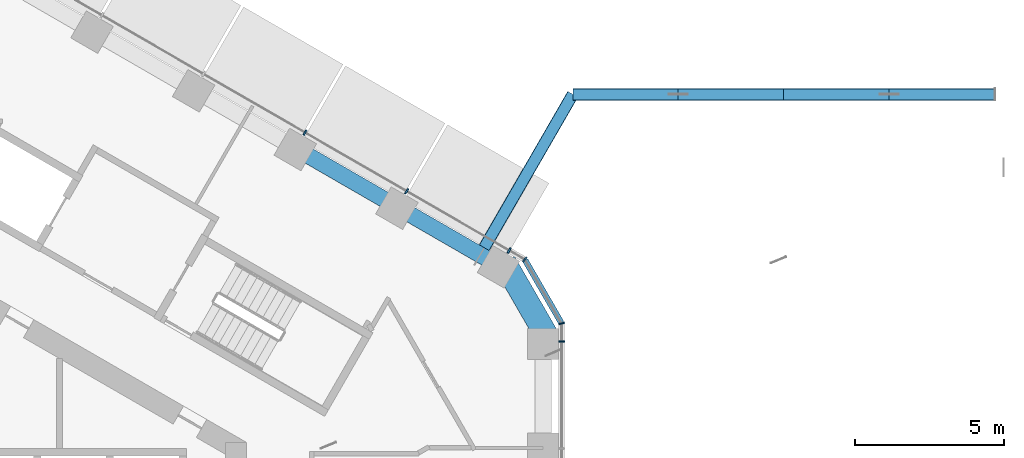
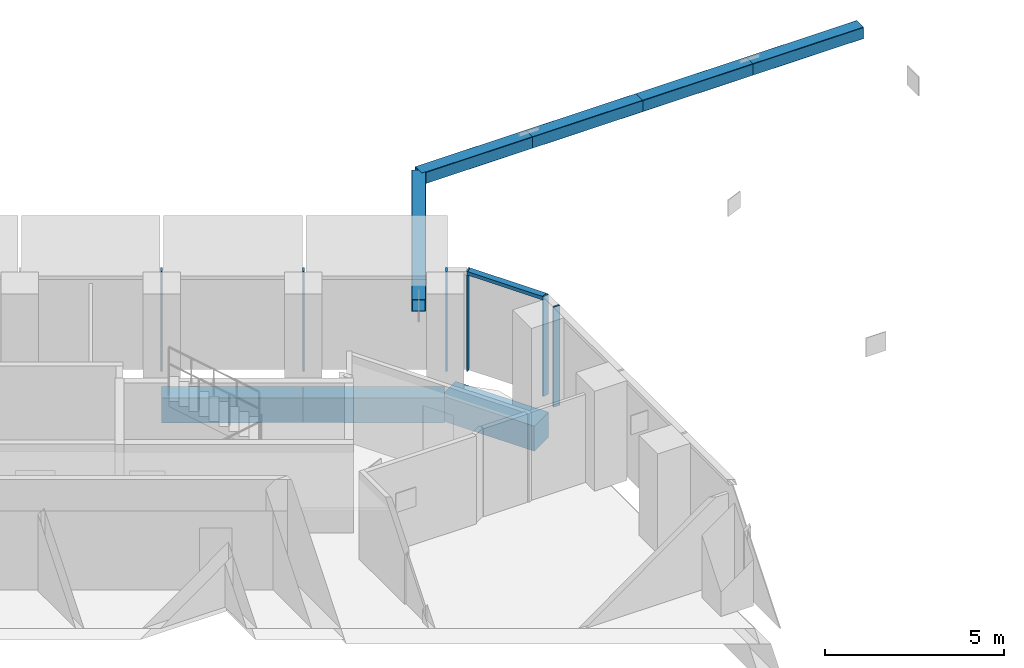
# One storey, part 7 of 21: 12 members, 3 beams, 3 elements without a shape of their own.
"""IFC4 building model written with IfcOpenShell, lengths in metres."""

from ifc_helpers import new_model, si_unit, direction, frame, origin, origin_2d, place, context, subcontext, project, spatial, rectangle, hollow_rectangle, extrude, material, layer, layer_set, material_profile, profile_set, type_object, element, aggregate, save


model = new_model("IFC4")

# Units and contexts
model_context = context("Model", 3, precision=1e-05, world=origin(), true_north=direction((0.0, 1.0)))
body_context = subcontext(model_context, "Body", "Model", "MODEL_VIEW")
ifc_project = project(units=[si_unit("LENGTHUNIT", "METRE"), si_unit("AREAUNIT", "SQUARE_METRE"), si_unit("VOLUMEUNIT", "CUBIC_METRE"), si_unit("PLANEANGLEUNIT", "RADIAN"), si_unit("MASSUNIT", "GRAM", prefix="KILO")], contexts=[model_context])

# Site, building, storey
site_placement = place(None, origin())
site = spatial("IfcSite", under=ifc_project, at=site_placement, CompositionType="ELEMENT")
building_placement = place(site_placement, origin())
building = spatial("IfcBuilding", under=site, at=building_placement, Name="Ayvan Gate Tower", CompositionType="ELEMENT")
storey_placement = place(building_placement, frame((0.0, 0.0, 117.10009765625)))
storey = spatial("IfcBuildingStorey", under=building, at=storey_placement, Name="L31", CompositionType="ELEMENT", Elevation=117.10009765625)

# Beam
ifc_material_1 = material(Name="Concrete C40/50", Category="concrete")
ifc_material_profile_1 = material_profile(ifc_material_1, rectangle(XDim=0.800048828125, YDim=0.85009765625, at=origin_2d()), Name="RC 800x850")
ifc_profile_set_1 = profile_set([ifc_material_profile_1], Name="Concrete C40/50")
beam_type_1 = type_object("IfcBeamType", Name="Corner spandrel beam RC 800x850 C40/50", PredefinedType="BEAM", material=ifc_profile_set_1)
beam_placement = place(storey_placement, frame((19.676025390625, 8.958251953125, -0.775146484375), z_axis=(-0.499990139034, 0.866031096941, 0.0), x_axis=(-0.866031096941, -0.499990139034, 0.0)))
element("IfcBeam", 1, at=beam_placement, inside=storey, type_object=beam_type_1, Name="SB-L31-6", PredefinedType="BEAM", context=body_context, shape_type="SweptSolid", body=[
    extrude(rectangle(XDim=0.800048828125, YDim=0.85009765625, at=origin_2d()), origin(), (0.0, 0.0, 1.0), 3.0),
])

# Members
ifc_material_2 = material(Name="Steel S460NH", Category="steel")
ifc_material_profile_2 = material_profile(ifc_material_2, hollow_rectangle(XDim=0.39990234375, YDim=0.39990234375, WallThickness=0.01611328125, InnerFilletRadius=0.01611328125, OuterFilletRadius=0.02392578125, at=origin_2d()), Name="RHS 400x400x16")
ifc_profile_set_2 = profile_set([ifc_material_profile_2], Name="Steel S460NH")
member_type_1 = type_object("IfcMemberType", Name="Sky bar truss brace B2 RHS 400x400x16", PredefinedType="BRACE", material=ifc_profile_set_2)
member_1_placement = place(storey_placement, frame((17.33056640625, 11.740478515625, 2.64990234375), z_axis=(0.500004901903, 0.866022573651, 0.0), x_axis=(-0.866022573651, 0.500004901903, 0.0)))
element("IfcMember", 2, at=member_1_placement, inside=storey, type_object=member_type_1, Name="SBX2-A-BC-1", PredefinedType="CHORD", context=body_context, shape_type="SweptSolid", body=[
    extrude(hollow_rectangle(XDim=0.39990234375, YDim=0.39990234375, WallThickness=0.01611328125, InnerFilletRadius=0.01611328125, OuterFilletRadius=0.02392578125, at=origin_2d()), origin(), (0.0, 0.0, 1.0), 6.31005859375),
])
for number, where, z_axis, x_axis, name in (
    (3, (20.485595703125, 17.205078125, 2.64990234375), (1.0, 0.0, 0.0), (0.0, 1.0, 0.0), "SBX2-A-BC-2"),
    (4, (24.03564453125, 17.205078125, 2.64990234375), (1.0, 0.0, 0.0), (0.0, 1.0, 0.0), "SBX2-A-BC-3"),
):
    element("IfcMember", number, at=place(storey_placement, frame(where, z_axis=z_axis, x_axis=x_axis)), inside=storey, type_object=member_type_1, Name=name, PredefinedType="CHORD", context=body_context, shape_type="SweptSolid", body=[
        extrude(hollow_rectangle(XDim=0.39990234375, YDim=0.39990234375, WallThickness=0.01611328125, InnerFilletRadius=0.01611328125, OuterFilletRadius=0.02392578125, at=origin_2d()), origin(), (0.0, 0.0, 1.0), 3.550048828125),
    ])
member_2_placement = place(storey_placement, frame((27.585693359375, 17.205078125, 2.64990234375), z_axis=(1.0, 0.0, 0.0), x_axis=(0.0, 1.0, 0.0)))
element("IfcMember", 5, at=member_2_placement, inside=storey, type_object=member_type_1, Name="SBX2-A-BC-4", PredefinedType="CHORD", context=body_context, shape_type="SweptSolid", body=[
    extrude(hollow_rectangle(XDim=0.39990234375, YDim=0.39990234375, WallThickness=0.01611328125, InnerFilletRadius=0.01611328125, OuterFilletRadius=0.02392578125, at=origin_2d()), origin(), (0.0, 0.0, 1.0), 3.5498046875),
])
member_3_placement = place(storey_placement, frame((31.135498046875, 17.205078125, 2.64990234375), z_axis=(1.0, 0.0, 0.0), x_axis=(0.0, 1.0, 0.0)))
element("IfcMember", 6, at=member_3_placement, inside=storey, type_object=member_type_1, Name="SBX2-A-BC-5", PredefinedType="CHORD", context=body_context, shape_type="SweptSolid", body=[
    extrude(hollow_rectangle(XDim=0.39990234375, YDim=0.39990234375, WallThickness=0.01611328125, InnerFilletRadius=0.01611328125, OuterFilletRadius=0.02392578125, at=origin_2d()), origin(), (0.0, 0.0, 1.0), 3.550048828125),
])

# Beams
ifc_material_profile_3 = material_profile(ifc_material_1, rectangle(XDim=0.550048828125, YDim=0.85009765625, at=origin_2d()), Name="RC 550x850")
ifc_profile_set_3 = profile_set([ifc_material_profile_3], Name="Concrete C40/50")
beam_type_2 = type_object("IfcBeamType", Name="Spandrel beam RC 550x850 C40/50", PredefinedType="BEAM", material=ifc_profile_set_3)
for number, where, z_axis, x_axis, name in (
    (7, (17.985595703125, 11.4462890625, -0.775146484375), (-0.866008149408, 0.500029884265, 0.0), (-0.500029884265, -0.866008149408, 0.0), "SB-L31-7"),
    (8, (14.572509765625, 13.4169921875, -0.775146484375), (-0.866034973562, 0.499983424293, 0.0), (-0.499983424293, -0.866034973562, 0.0), "SB-L31-8"),
):
    element("IfcBeam", number, at=place(storey_placement, frame(where, z_axis=z_axis, x_axis=x_axis)), inside=storey, type_object=beam_type_2, Name=name, PredefinedType="BEAM", context=body_context, shape_type="SweptSolid", body=[
        extrude(rectangle(XDim=0.550048828125, YDim=0.85009765625, at=origin_2d()), origin(), (0.0, 0.0, 1.0), 3.941162109375),
    ])

# Curtain wall, member
ifc_material_3 = material(Name="Bronze anodised aluminium", Category="aluminium")
ifc_layer_1 = layer(ifc_material_3, 0.199951171875)
ifc_layer_set_1 = layer_set([ifc_layer_1], Name="Bronze anodised aluminium")
curtain_wall_type_1 = type_object("IfcCurtainWallType", Name="Stick curtain wall CW-1", PredefinedType="NOTDEFINED", material=ifc_layer_set_1)
curtain_wall_1_placement = place(storey_placement, origin())
curtain_wall_1 = element("IfcCurtainWall", 9, at=curtain_wall_1_placement, inside=storey, type_object=curtain_wall_type_1, Name="Stick curtain wall CW-1 L31", PredefinedType="NOTDEFINED")
ifc_material_profile_4 = material_profile(ifc_material_3, rectangle(XDim=0.199951171875, YDim=0.06005859375, at=origin_2d()), Name="Stick curtain wall CW-1 mullion 200 x 60")
ifc_profile_set_4 = profile_set([ifc_material_profile_4], Name="Bronze anodised aluminium")
member_type_2 = type_object("IfcMemberType", Name="Stick curtain wall CW-1 mullion 200 x 60", PredefinedType="MULLION", material=ifc_profile_set_4)
member_4_placement = place(storey_placement, frame((20.110595703125, 8.885009765625, 0.0), z_axis=(0.0, 0.0, 1.0), x_axis=(1.0, 0.0, 0.0)))
member_4 = element("IfcMember", 10, at=member_4_placement, type_object=member_type_2, Name="CW-1 mullion 6", PredefinedType="MULLION", context=body_context, shape_type="SweptSolid", body=[
    extrude(rectangle(XDim=0.199951171875, YDim=0.06005859375, at=origin_2d()), origin(), (0.0, 0.0, 1.0), 3.39990234375),
])
aggregate(curtain_wall_1, [member_4])

# Curtain wall, members
curtain_wall_2_placement = place(storey_placement, origin())
curtain_wall_2 = element("IfcCurtainWall", 11, at=curtain_wall_2_placement, inside=storey, type_object=curtain_wall_type_1, Name="Stick curtain wall CW-1 L31", PredefinedType="NOTDEFINED")
member_5_placement = place(storey_placement, frame((18.34326171875, 11.94580078125, 0.0), z_axis=(0.0, 0.0, 1.0), x_axis=(0.5, 0.866025403784, 0.0)))
member_5 = element("IfcMember", 12, at=member_5_placement, type_object=member_type_2, Name="CW-1 mullion 1", PredefinedType="MULLION", context=body_context, shape_type="SweptSolid", body=[
    extrude(rectangle(XDim=0.199951171875, YDim=0.06005859375, at=origin_2d()), origin(), (0.0, 0.0, 1.0), 3.39990234375),
])
member_6_placement = place(storey_placement, frame((14.891357421875, 13.93896484375, 0.0), z_axis=(0.0, 0.0, 1.0), x_axis=(0.5, 0.866025403784, 0.0)))
member_6 = element("IfcMember", 13, at=member_6_placement, type_object=member_type_2, Name="CW-1 mullion 2", PredefinedType="MULLION", context=body_context, shape_type="SweptSolid", body=[
    extrude(rectangle(XDim=0.199951171875, YDim=0.06005859375, at=origin_2d()), origin(), (0.0, 0.0, 1.0), 3.39990234375),
])
member_7_placement = place(storey_placement, frame((11.4697265625, 15.914306640625, 0.0), z_axis=(0.0, 0.0, 1.0), x_axis=(0.5, 0.866025403784, 0.0)))
member_7 = element("IfcMember", 14, at=member_7_placement, type_object=member_type_2, Name="CW-1 mullion 3", PredefinedType="MULLION", context=body_context, shape_type="SweptSolid", body=[
    extrude(rectangle(XDim=0.199951171875, YDim=0.06005859375, at=origin_2d()), origin(), (0.0, 0.0, 1.0), 3.39990234375),
])
aggregate(curtain_wall_2, [member_5, member_6, member_7])

ifc_layer_2 = layer(ifc_material_3, 0.199951171875)
ifc_layer_set_2 = layer_set([ifc_layer_2], Name="Bronze anodised aluminium")
curtain_wall_type_2 = type_object("IfcCurtainWallType", Name="Stick curtain wall CW-6", PredefinedType="NOTDEFINED", material=ifc_layer_set_2)
curtain_wall_3_placement = place(storey_placement, origin())
curtain_wall_3 = element("IfcCurtainWall", 15, at=curtain_wall_3_placement, inside=storey, type_object=curtain_wall_type_2, Name="Stick curtain wall CW-6 L31", PredefinedType="NOTDEFINED")
ifc_material_profile_5 = material_profile(ifc_material_3, rectangle(XDim=0.199951171875, YDim=0.050048828125, at=origin_2d()), Name="Stick curtain wall CW-6 mullion 200 x 50")
ifc_profile_set_5 = profile_set([ifc_material_profile_5], Name="Bronze anodised aluminium")
member_type_3 = type_object("IfcMemberType", Name="Stick curtain wall CW-6 mullion 200 x 50", PredefinedType="MULLION", material=ifc_profile_set_5)
member_8_placement = place(storey_placement, frame((20.110595703125, 9.489990234375, 0.0), z_axis=(0.0, 0.0, 1.0), x_axis=(0.965925826289, 0.258819045103, 0.0)))
member_8 = element("IfcMember", 16, at=member_8_placement, type_object=member_type_3, Name="CW-6 mullion 2", PredefinedType="MULLION", context=body_context, shape_type="SweptSolid", body=[
    extrude(rectangle(XDim=0.199951171875, YDim=0.050048828125, at=origin_2d()), origin(), (0.0, 0.0, 1.0), 3.39990234375),
])
member_9_placement = place(storey_placement, frame((18.8671875, 11.643310546875, 0.0), z_axis=(0.0, 0.0, 1.0), x_axis=(0.707106781187, 0.707106781187, 0.0)))
member_9 = element("IfcMember", 17, at=member_9_placement, type_object=member_type_3, Name="CW-6 mullion 3", PredefinedType="MULLION", context=body_context, shape_type="SweptSolid", body=[
    extrude(rectangle(XDim=0.199951171875, YDim=0.050048828125, at=origin_2d()), origin(), (0.0, 0.0, 1.0), 3.39990234375),
])
ifc_material_profile_6 = material_profile(ifc_material_3, rectangle(XDim=0.199951171875, YDim=0.1201171875, at=origin_2d()), Name="Stick curtain wall CW-6 transom 200 x 120")
ifc_profile_set_6 = profile_set([ifc_material_profile_6], Name="Bronze anodised aluminium")
member_type_4 = type_object("IfcMemberType", Name="Stick curtain wall CW-6 transom 200 x 120", PredefinedType="USERDEFINED", material=ifc_profile_set_6)
member_10_placement = place(storey_placement, frame((20.09814453125, 9.51171875, 3.33984375), z_axis=(-0.499997116, 0.866027068856, 0.0), x_axis=(-0.866027068856, -0.499997116, 0.0)))
member_10 = element("IfcMember", 18, at=member_10_placement, type_object=member_type_4, Name="CW-6 transom 2", ObjectType="TRANSOM", PredefinedType="USERDEFINED", context=body_context, shape_type="SweptSolid", body=[
    extrude(rectangle(XDim=0.199951171875, YDim=0.1201171875, at=origin_2d()), origin(), (0.0, 0.0, 1.0), 2.4365234375),
])
aggregate(curtain_wall_3, [member_8, member_9, member_10])

save(model, "model.ifc")
